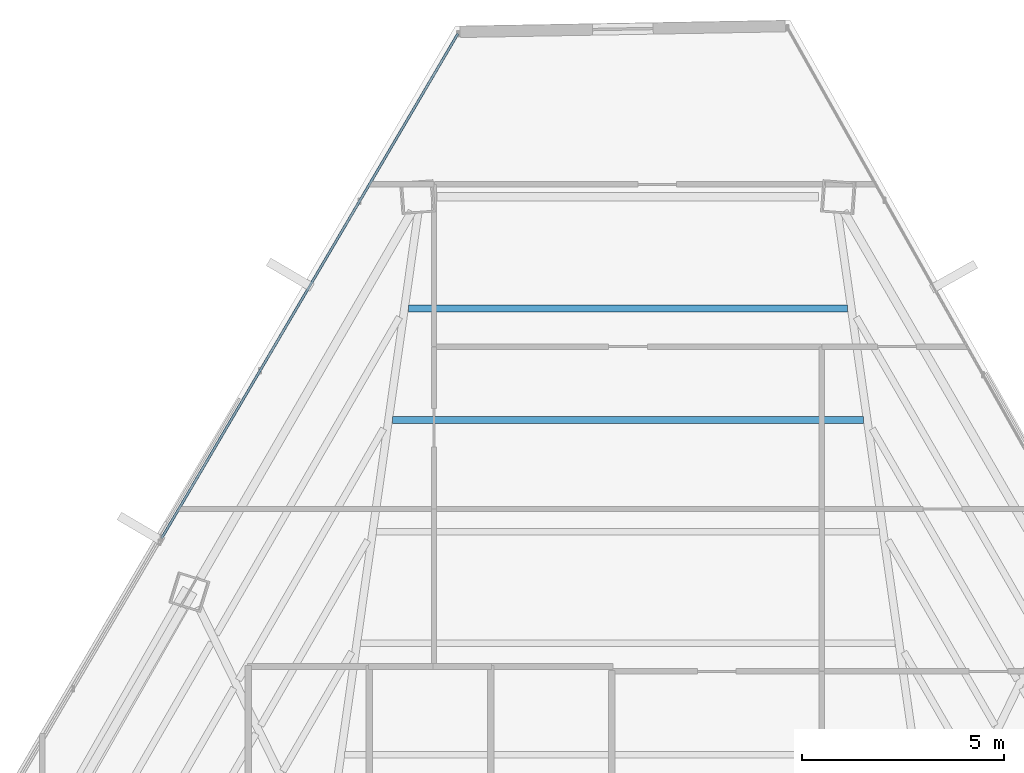
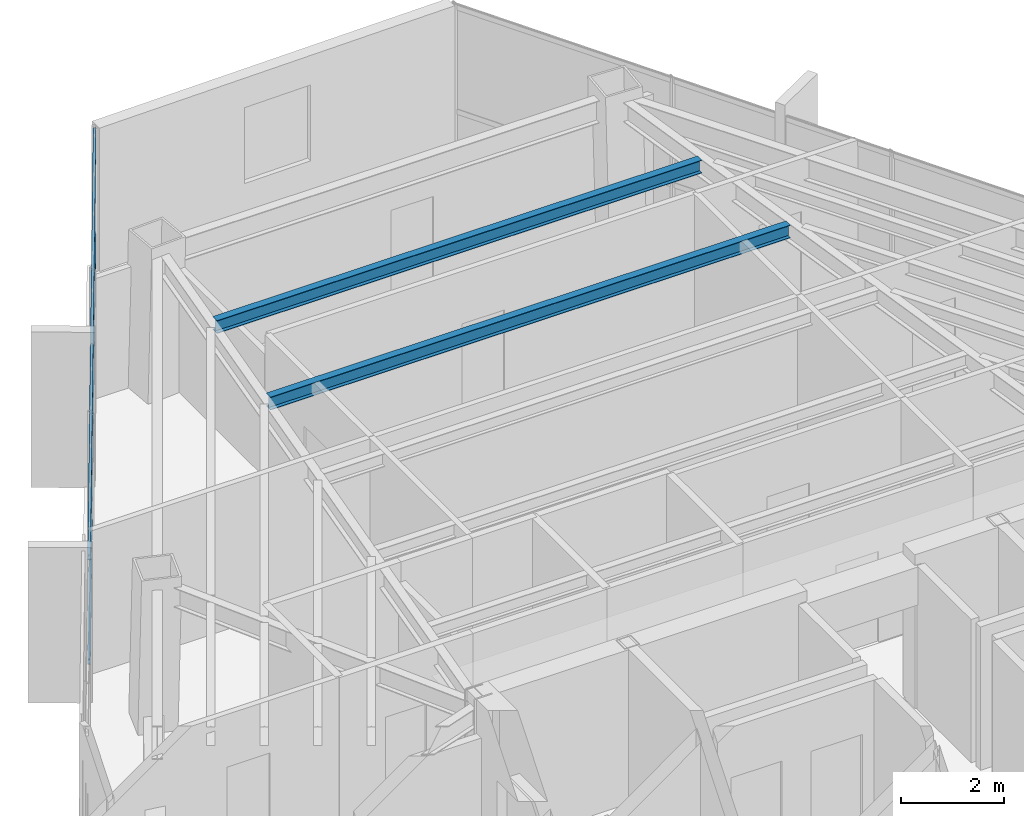
# One storey, part 29 of 44: 2 beams, 2 members, 1 element without a shape of its own.
"""IFC4 building model written with IfcOpenShell, lengths in metres."""

from ifc_helpers import new_model, si_unit, direction, frame, origin, origin_2d, place, context, subcontext, project, spatial, hollow_rectangle, i_section, extrude, source, transform, mapped, material, material_profile, profile_set, type_object, type_shapes, element, aggregate, save


model = new_model("IFC4")

# Units and contexts
model_context = context("Model", 3, precision=1e-05, world=origin(), true_north=direction((0.0, 1.0)))
body_context = subcontext(model_context, "Body", "Model", "MODEL_VIEW")
ifc_project = project(units=[si_unit("LENGTHUNIT", "METRE"), si_unit("AREAUNIT", "SQUARE_METRE"), si_unit("VOLUMEUNIT", "CUBIC_METRE"), si_unit("PLANEANGLEUNIT", "RADIAN"), si_unit("MASSUNIT", "GRAM", prefix="KILO")], contexts=[model_context])

# Site, building, storey
site_placement = place(None, origin())
site = spatial("IfcSite", under=ifc_project, at=site_placement, CompositionType="ELEMENT")
building_placement = place(site_placement, origin())
building = spatial("IfcBuilding", under=site, at=building_placement, Name="Caelisora Broadcast Tower", CompositionType="ELEMENT")
storey_placement = place(building_placement, frame((0.0, 0.0, 198.64990234375)))
storey = spatial("IfcBuildingStorey", under=building, at=storey_placement, Name="L52", CompositionType="ELEMENT", Elevation=198.64990234375)

# Beams
ifc_material_1 = material(Name="Steel Grade 350 (AS/NZS 3679.1)", Category="steel")
ifc_material_profile_1 = material_profile(ifc_material_1, i_section(OverallWidth=0.166015625, OverallDepth=0.30712890625, WebThickness=0.006591796875, FlangeThickness=0.01171875, at=origin_2d()), Name="Steel Grade 350 (AS/NZS 3679.1)")
ifc_profile_set_1 = profile_set([ifc_material_profile_1], Name="Steel Grade 350 (AS/NZS 3679.1)")
beam_type = type_object("IfcBeamType", Name="SB03", PredefinedType="JOIST", material=ifc_profile_set_1)
shared_shape_1 = source(origin(), body_context, "Body", "SweptSolid", [
    extrude(i_section(OverallWidth=0.166015625, OverallDepth=0.30712890625, WebThickness=0.006591796875, FlangeThickness=0.01171875, at=origin_2d()), origin(), (0.0, 0.0, 1.0), 11.6640625),
])
beam_1_placement = place(storey_placement, frame((43.83203125, 41.052978515625, 3.24658203125), z_axis=(-1.0, 0.0, 0.0), x_axis=(0.0, -1.0, 0.0)))
element("IfcBeam", 1, at=beam_1_placement, inside=storey, type_object=beam_type, Name="L52 beam SB03", PredefinedType="JOIST", context=body_context, shape_type="MappedRepresentation", body=[
    mapped(shared_shape_1, transform((0.0, 0.0, 0.0), scale=1.0)),
])
shared_shape_2 = source(origin(), body_context, "Body", "SweptSolid", [
    extrude(i_section(OverallWidth=0.166015625, OverallDepth=0.30712890625, WebThickness=0.006591796875, FlangeThickness=0.01171875, at=origin_2d()), origin(), (0.0, 0.0, 1.0), 10.876953125),
])
type_shapes(beam_type, [shared_shape_1, shared_shape_2])
beam_2_placement = place(storey_placement, frame((43.4384765625, 43.81640625, 3.24658203125), z_axis=(-1.0, 0.0, 0.0), x_axis=(0.0, -1.0, 0.0)))
element("IfcBeam", 2, at=beam_2_placement, inside=storey, type_object=beam_type, Name="L52 beam SB03", PredefinedType="JOIST", context=body_context, shape_type="MappedRepresentation", body=[
    mapped(shared_shape_2, transform((0.0, 0.0, 0.0), scale=1.0)),
])

# Curtain wall, members
ifc_material_2 = material(Name="Unitised Aluminium and Low-E Glass Curtain Wall", Category="glass")
curtain_wall_type = type_object("IfcCurtainWallType", Name="CW-Z4", PredefinedType="NOTDEFINED", material=ifc_material_2)
curtain_wall_placement = place(storey_placement, origin())
curtain_wall = element("IfcCurtainWall", 3, at=curtain_wall_placement, inside=storey, type_object=curtain_wall_type, Name="L52 curtain wall CW-Z4", PredefinedType="NOTDEFINED")
ifc_material_3 = material(Name="Aluminium 6063-T6 Anodised Terracotta Bronze", Category="aluminium")
ifc_material_profile_2 = material_profile(ifc_material_3, hollow_rectangle(XDim=0.06005859375, YDim=0.1201171875, WallThickness=0.0029296875, at=origin_2d()), Name="Aluminium 6063-T6 Anodised Terracotta Bronze")
ifc_profile_set_2 = profile_set([ifc_material_profile_2], Name="Aluminium 6063-T6 Anodised Terracotta Bronze")
member_type = type_object("IfcMemberType", Name="CWT-03", PredefinedType="USERDEFINED", material=ifc_profile_set_2)
shared_shape_3 = source(origin(), body_context, "Body", "SweptSolid", [
    extrude(hollow_rectangle(XDim=0.06005859375, YDim=0.1201171875, WallThickness=0.0029296875, at=origin_2d()), origin(), (0.0, 0.0, 1.0), 14.489990234375),
])
type_shapes(member_type, [shared_shape_3])
member_1_placement = place(storey_placement, frame((26.4541015625, 38.125, 0.85009765625), z_axis=(0.506390435567, 0.862304312158, 0.0), x_axis=(-0.862304312158, 0.506390435567, 0.0)))
member_1 = element("IfcMember", 4, at=member_1_placement, type_object=member_type, Name="L52-CW-B11 transom #1", ObjectType="TRANSOM", PredefinedType="USERDEFINED", context=body_context, shape_type="MappedRepresentation", body=[
    mapped(shared_shape_3, transform((0.0, 0.0, 0.0), scale=1.0)),
])
member_2_placement = place(storey_placement, frame((26.4541015625, 38.125, 3.320068359375), z_axis=(0.506390435567, 0.862304312158, 0.0), x_axis=(-0.862304312158, 0.506390435567, 0.0)))
member_2 = element("IfcMember", 5, at=member_2_placement, type_object=member_type, Name="L52-CW-B11 transom #2", ObjectType="TRANSOM", PredefinedType="USERDEFINED", context=body_context, shape_type="MappedRepresentation", body=[
    mapped(shared_shape_3, transform((0.0, 0.0, 0.0), scale=1.0)),
])
aggregate(curtain_wall, [member_1, member_2])

save(model, "model.ifc")
